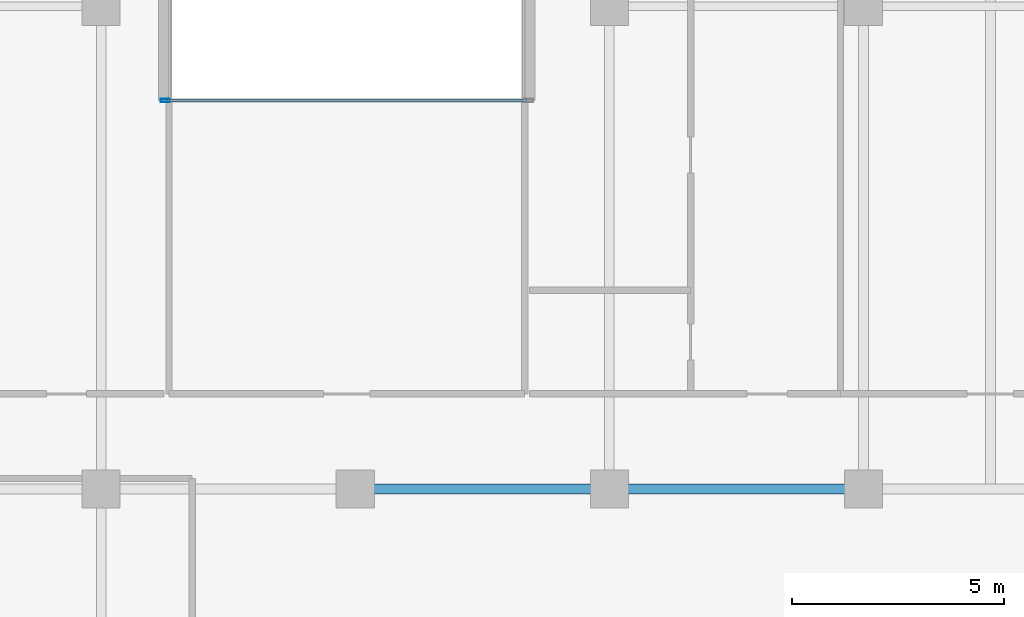
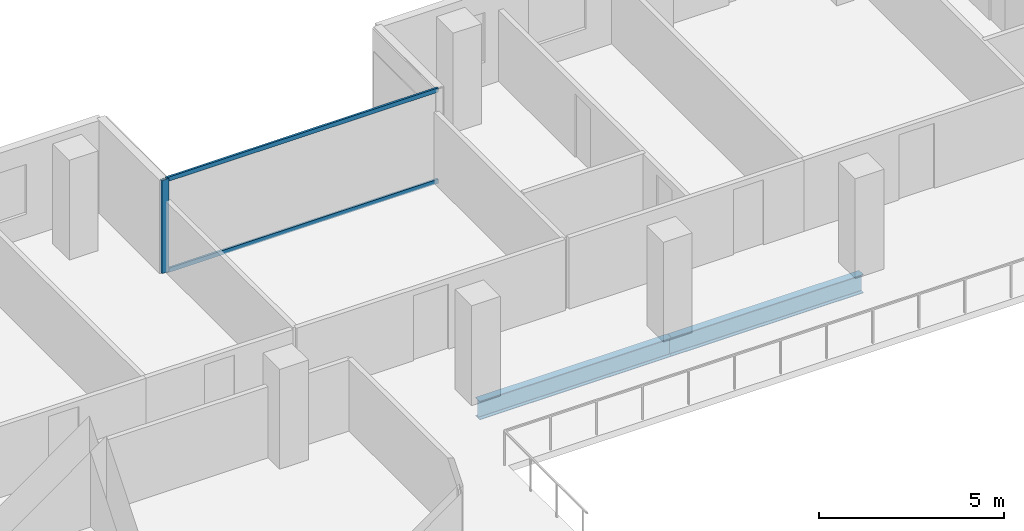
# One storey, part 6 of 19: 3 members, 2 beams, 1 element without a shape of its own.
"""IFC4 building model written with IfcOpenShell, lengths in metres."""

from ifc_helpers import new_model, si_unit, direction, frame, origin, origin_2d, place, context, subcontext, project, spatial, hollow_rectangle, i_section, extrude, material, layer, layer_set, material_profile, profile_set, type_object, element, aggregate, save


model = new_model("IFC4")

# Units and contexts
model_context = context("Model", 3, precision=1e-05, world=origin(), true_north=direction((0.0, 1.0)))
body_context = subcontext(model_context, "Body", "Model", "MODEL_VIEW")
ifc_project = project(units=[si_unit("LENGTHUNIT", "METRE"), si_unit("AREAUNIT", "SQUARE_METRE"), si_unit("VOLUMEUNIT", "CUBIC_METRE"), si_unit("PLANEANGLEUNIT", "RADIAN"), si_unit("MASSUNIT", "GRAM", prefix="KILO")], contexts=[model_context])

# Site, building, storey
site_placement = place(None, origin())
site = spatial("IfcSite", under=ifc_project, at=site_placement, CompositionType="ELEMENT")
building_placement = place(site_placement, origin())
building = spatial("IfcBuilding", under=site, at=building_placement, Name="Tanjung Sevakor Pilgrim Tower", CompositionType="ELEMENT")
storey_placement = place(building_placement, frame((0.0, 0.0, 132.0)))
storey = spatial("IfcBuildingStorey", under=building, at=storey_placement, Name="L36", CompositionType="ELEMENT", Elevation=132.0)

# Beams
ifc_material_1 = material(Name="Steel S355J2", Category="steel")
ifc_material_profile_1 = material_profile(ifc_material_1, i_section(OverallWidth=0.230224609375, OverallDepth=0.6171875, WebThickness=0.01318359375, FlangeThickness=0.022216796875, FilletRadius=0.0126953125, at=origin_2d()))
ifc_profile_set_1 = profile_set([ifc_material_profile_1], Name="Steel S355J2")
beam_type = type_object("IfcBeamType", Name="BM-B-G3-UB_610x229x140", PredefinedType="BEAM", material=ifc_profile_set_1)
for number, where, z_axis, x_axis, name in (
    (1, (48.0, 42.60009765625, -0.528564453125), (1.0, 0.0, 0.0), (0.0, 1.0, 0.0), "L36 Primary Floor Girder MAIN Y426-03"),
    (2, (54.0, 42.60009765625, -0.528564453125), (1.0, 0.0, 0.0), (0.0, 1.0, 0.0), "L36 Primary Floor Girder MAIN Y426-04"),
):
    element("IfcBeam", number, at=place(storey_placement, frame(where, z_axis=z_axis, x_axis=x_axis)), inside=storey, type_object=beam_type, Name=name, PredefinedType="BEAM", context=body_context, shape_type="SweptSolid", body=[
        extrude(i_section(OverallWidth=0.230224609375, OverallDepth=0.6171875, WebThickness=0.01318359375, FlangeThickness=0.022216796875, FilletRadius=0.0126953125, at=origin_2d()), origin(), (0.0, 0.0, 1.0), 6.0),
    ])

# Curtain wall, members
ifc_material_2 = material(Name="Aluminium 6063-T6 and Low-E Glass", Category="aluminium")
ifc_layer = layer(ifc_material_2, 0.179931640625)
ifc_layer_set = layer_set([ifc_layer], Name="CW-SYS-CLEFT")
curtain_wall_type = type_object("IfcCurtainWallType", Name="CW-SYS-CLEFT", PredefinedType="NOTDEFINED", material=ifc_layer_set)
curtain_wall_placement = place(storey_placement, origin())
curtain_wall = element("IfcCurtainWall", 3, at=curtain_wall_placement, inside=storey, type_object=curtain_wall_type, Name="L36 Curtain Wall CW-CLF-L36-10", PredefinedType="NOTDEFINED")
ifc_material_3 = material(Name="Aluminium 6063-T6", Category="aluminium")
ifc_material_profile_2 = material_profile(ifc_material_3, hollow_rectangle(XDim=0.074951171875, YDim=0.219970703125, WallThickness=0.0048828125, at=origin_2d()))
ifc_profile_set_2 = profile_set([ifc_material_profile_2], Name="Aluminium 6063-T6")
member_type_1 = type_object("IfcMemberType", Name="TYPE-CWM-2", PredefinedType="MULLION", material=ifc_profile_set_2)
member_1_placement = place(storey_placement, frame((43.512451171875, 51.77490234375, 0.0), z_axis=(0.0, 0.0, 1.0), x_axis=(0.0, -1.0, 0.0)))
member_1 = element("IfcMember", 4, at=member_1_placement, type_object=member_type_1, Name="CW-CLF mullion 2", PredefinedType="MULLION", context=body_context, shape_type="SweptSolid", body=[
    extrude(hollow_rectangle(XDim=0.074951171875, YDim=0.219970703125, WallThickness=0.0048828125, at=origin_2d()), origin(), (0.0, 0.0, 1.0), 3.080078125),
])
ifc_material_4 = material(Name="Aluminium 6063-T6", Category="aluminium")
ifc_material_profile_3 = material_profile(ifc_material_4, hollow_rectangle(XDim=0.06494140625, YDim=0.139892578125, WallThickness=0.00390625, at=origin_2d()))
ifc_profile_set_3 = profile_set([ifc_material_profile_3], Name="Aluminium 6063-T6")
member_type_2 = type_object("IfcMemberType", Name="TYPE-CWT-1", PredefinedType="USERDEFINED", material=ifc_profile_set_3)
member_2_placement = place(storey_placement, frame((52.050048828125, 51.77490234375, 0.032470703125), z_axis=(-1.0, 0.0, 0.0), x_axis=(0.0, -1.0, 0.0)))
member_2 = element("IfcMember", 5, at=member_2_placement, type_object=member_type_2, Name="CW-CLF transom 1.1", ObjectType="TRANSOM", PredefinedType="USERDEFINED", context=body_context, shape_type="SweptSolid", body=[
    extrude(hollow_rectangle(XDim=0.06494140625, YDim=0.139892578125, WallThickness=0.00390625, at=origin_2d()), origin(), (0.0, 0.0, 1.0), 8.5),
])
member_3_placement = place(storey_placement, frame((52.050048828125, 51.77490234375, 3.047607421875), z_axis=(-1.0, 0.0, 0.0), x_axis=(0.0, -1.0, 0.0)))
member_3 = element("IfcMember", 6, at=member_3_placement, type_object=member_type_2, Name="CW-CLF transom 1.2", ObjectType="TRANSOM", PredefinedType="USERDEFINED", context=body_context, shape_type="SweptSolid", body=[
    extrude(hollow_rectangle(XDim=0.06494140625, YDim=0.139892578125, WallThickness=0.00390625, at=origin_2d()), origin(), (0.0, 0.0, 1.0), 8.5),
])
aggregate(curtain_wall, [member_1, member_2, member_3])

save(model, "model.ifc")
